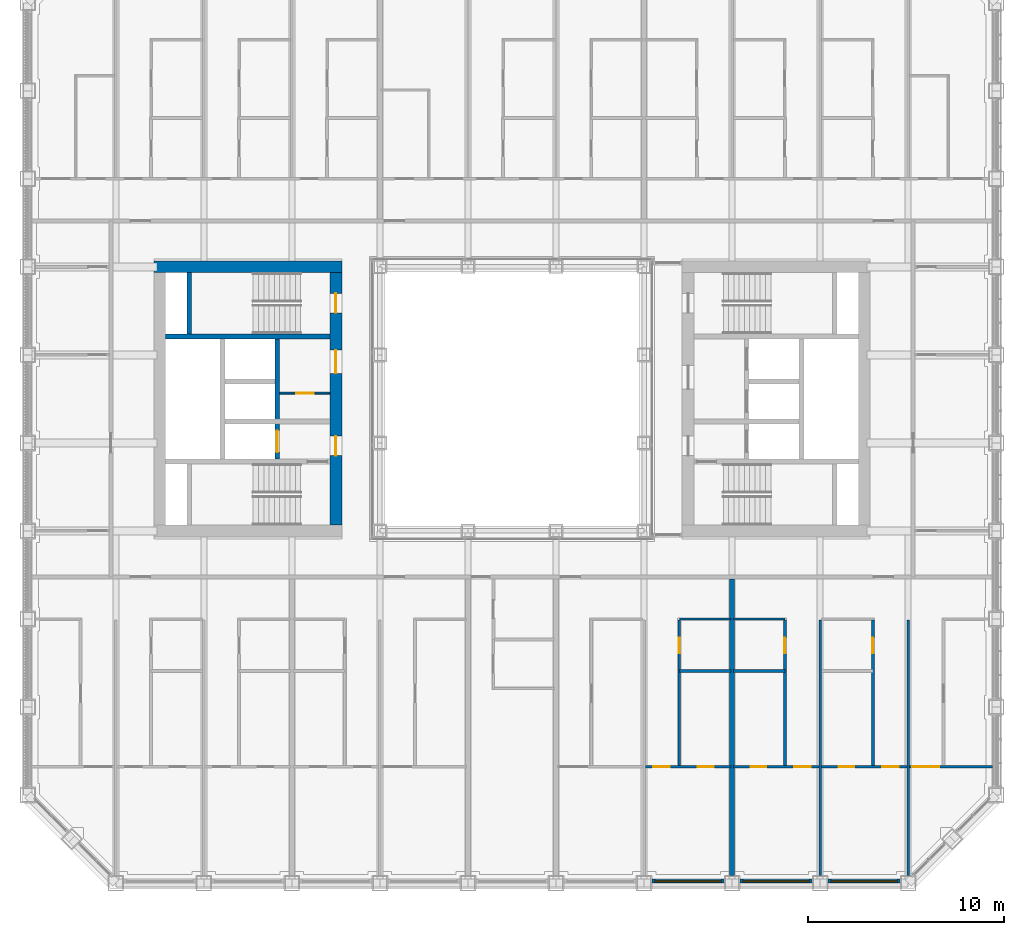
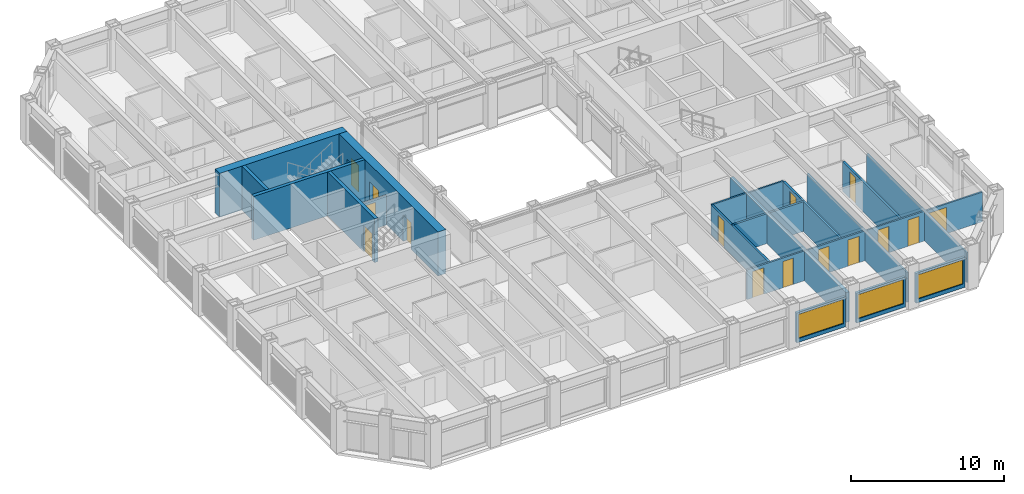
# One storey, part 11 of 21: 23 walls, 15 doors, 3 windows, 18 openings.
"""IFC4 building model written with IfcOpenShell, lengths in metres."""

import ifcopenshell
import ifcopenshell.guid

model = None  # the IFC model being written
_history = None  # IfcOwnerHistory: only IFC2X3 demands one
_inside = {}  # id of a spatial element -> (the spatial element, [elements in it])
_under = {}  # id of a project, library or spatial element -> (it, [spatial elements below it])
_declared = {}  # id of a project -> (the project, [libraries it declares])
_typed = {}  # id of a type object -> (the type object, [elements of that type])
_made_of = {}  # id of a material, layer set ... -> (it, [elements and type objects made of it])


def new_model(schema):
    """Start an empty IFC model of exactly this schema.

    Asked for "IFC4X3", IfcOpenShell would pick the latest addendum, in which some entities
    have other attributes; the version numbers below select the first issue.
    IFC2X3 requires an IfcOwnerHistory on every rooted entity: one is made here for all.
    """
    global model, _history
    if schema == "IFC4X3":
        model = ifcopenshell.file(schema_version=(4, 3, 0, 0))
    else:
        model = ifcopenshell.file(schema=schema)
    _inside.clear()
    _under.clear()
    _declared.clear()
    _typed.clear()
    _made_of.clear()
    _history = None
    if model.schema == "IFC2X3":
        org = make("IfcOrganization", Name="unknown")
        user = make(
            "IfcPersonAndOrganization",
            ThePerson=make("IfcPerson", FamilyName="unknown"),
            TheOrganization=org,
        )
        app = make(
            "IfcApplication",
            ApplicationDeveloper=org,
            Version="unknown",
            ApplicationFullName="unknown",
            ApplicationIdentifier="unknown",
        )
        _history = make(
            "IfcOwnerHistory",
            OwningUser=user,
            OwningApplication=app,
            ChangeAction="ADDED",
            CreationDate=0,
        )
    return model


def make(cls, **values):
    """One entity of the class cls with the attributes given. An attribute that is None is left unset."""
    return model.create_entity(
        cls, **{name: value for name, value in values.items() if value is not None}
    )


def rooted(cls, **values):
    """An entity with a GlobalId (a new one), such as an element, a storey or a relation."""
    return make(cls, GlobalId=ifcopenshell.guid.new(), OwnerHistory=_history, **values)


def si_unit(unit_type, name, prefix=None):
    """IfcSIUnit, for example si_unit("LENGTHUNIT", "METRE", prefix="MILLI")."""
    return make("IfcSIUnit", UnitType=unit_type, Prefix=prefix, Name=name)


def assignment(units):
    """IfcUnitAssignment: the units of a project."""
    return None if units is None else make("IfcUnitAssignment", Units=units)


def point(xyz):
    """IfcCartesianPoint."""
    return None if xyz is None else make("IfcCartesianPoint", Coordinates=xyz)


def direction(xyz):
    """IfcDirection."""
    return None if xyz is None else make("IfcDirection", DirectionRatios=xyz)


def frame(location, z_axis=None, x_axis=None):
    """IfcAxis2Placement3D, a coordinate frame: its origin and axes. An axis left out is left unset."""
    return make(
        "IfcAxis2Placement3D",
        Location=point(location),
        Axis=direction(z_axis),
        RefDirection=direction(x_axis),
    )


def frame_2d(location, x_axis=None):
    """IfcAxis2Placement2D, a coordinate frame in the plane: its origin and x axis."""
    return make(
        "IfcAxis2Placement2D", Location=point(location), RefDirection=direction(x_axis)
    )


def origin():
    """The frame at (0, 0, 0) with its axes left unset."""
    return frame((0.0, 0.0, 0.0))


def place(relative_to, where):
    """IfcLocalPlacement: puts the frame where relative to a parent placement (None: the world)."""
    return make(
        "IfcLocalPlacement", PlacementRelTo=relative_to, RelativePlacement=where
    )


def context(
    kind, dimensions, precision=None, world=None, true_north=None, identifier=None
):
    """IfcGeometricRepresentationContext, for example the 3D "Model" context."""
    return make(
        "IfcGeometricRepresentationContext",
        ContextIdentifier=identifier,
        ContextType=kind,
        CoordinateSpaceDimension=dimensions,
        Precision=precision,
        WorldCoordinateSystem=world,
        TrueNorth=true_north,
    )


def subcontext(parent, identifier, kind, view, scale=None):
    """IfcGeometricRepresentationSubContext, for example "Body" below "Model"."""
    return make(
        "IfcGeometricRepresentationSubContext",
        ContextIdentifier=identifier,
        ContextType=kind,
        ParentContext=parent,
        TargetScale=scale,
        TargetView=view,
    )


def project(units=None, contexts=None):
    """IfcProject with its units and contexts."""
    return rooted(
        "IfcProject",
        Name="project",
        RepresentationContexts=contexts,
        UnitsInContext=assignment(units),
    )


def spatial(cls, under=None, at=None, **own):
    """A site, building, storey or space (cls), placed at a placement, below another one or the project."""
    s = rooted(cls, ObjectPlacement=at, **own)
    if under is not None:
        _under.setdefault(under.id(), (under, []))[1].append(s)
    return s


def profile(cls, at=None, kind="AREA", **sizes):
    """A parametric profile (cls). Its sizes go by their IFC names, for example OverallWidth=200.0."""
    return make(cls, ProfileType=kind, Position=at, **sizes)


def rectangle(**sizes):
    """IfcRectangleProfileDef."""
    return profile("IfcRectangleProfileDef", **sizes)


def extrude(swept, where, along, depth):
    """IfcExtrudedAreaSolid: the profile swept, set in the frame where, extruded along a direction by depth."""
    return make(
        "IfcExtrudedAreaSolid",
        SweptArea=swept,
        Position=where,
        ExtrudedDirection=direction(along),
        Depth=depth,
    )


def shape(context_of_items, identifier, shape_type, items):
    """IfcShapeRepresentation: the items that make up one representation, for example the "Body"."""
    return make(
        "IfcShapeRepresentation",
        ContextOfItems=context_of_items,
        RepresentationIdentifier=identifier,
        RepresentationType=shape_type,
        Items=items,
    )


def material(Name=None, Category=None):
    """IfcMaterial."""
    return make("IfcMaterial", Name=Name, Category=Category)


def layer(
    of_material, thickness, ventilated=None, Name=None, Category=None, Priority=None
):
    """IfcMaterialLayer: one layer of a wall or slab, of a material (None: an air gap)."""
    return make(
        "IfcMaterialLayer",
        Material=of_material,
        LayerThickness=thickness,
        IsVentilated=ventilated,
        Name=Name,
        Category=Category,
        Priority=Priority,
    )


def layer_set(layers, Name=None):
    """IfcMaterialLayerSet."""
    return make("IfcMaterialLayerSet", MaterialLayers=layers, LayerSetName=Name)


def made_of(thing, what):
    """Note that an element or type object is made of a material, layer set ...; save() writes the relation."""
    if what is not None:
        _made_of.setdefault(what.id(), (what, []))[1].append(thing)
    return thing


def type_object(cls, material=None, **own):
    """A type object (cls), such as IfcWallType, which elements share."""
    return made_of(rooted(cls, **own), material)


def element(
    cls,
    number,
    at=None,
    inside=None,
    cuts=None,
    type_object=None,
    material=None,
    context=None,
    identifier="Body",
    shape_type=None,
    held_by="IfcProductDefinitionShape",
    body=None,
    shapes=None,
    **own,
):
    """One element of the class cls, such as IfcWall. Its Tag is "e" and its number.

    at: its placement. inside: the storey or other place that contains it. cuts: it is an
    opening in that element (IfcRelVoidsElement). A single representation is given by context,
    identifier, shape_type and body (its items); several are given by shapes. held_by: the class
    of the entity that holds the representations. save() writes the other relations.
    """
    e = rooted(cls, Tag="e%d" % number, ObjectPlacement=at, **own)
    if body is not None:
        shapes = [shape(context, identifier, shape_type, body)]
    if shapes is not None:
        e.Representation = make(held_by, Representations=shapes)
    if inside is not None:
        _inside.setdefault(inside.id(), (inside, []))[1].append(e)
    if cuts is not None:
        rooted(
            "IfcRelVoidsElement", RelatingBuildingElement=cuts, RelatedOpeningElement=e
        )
    if type_object is not None:
        _typed.setdefault(type_object.id(), (type_object, []))[1].append(e)
    return made_of(e, material)


def fill(opening, filler):
    """IfcRelFillsElement: the door or window that sits in an opening."""
    return rooted(
        "IfcRelFillsElement",
        RelatingOpeningElement=opening,
        RelatedBuildingElement=filler,
    )


def aggregate(whole, parts):
    """IfcRelAggregates: a whole, such as a stair, and the parts it consists of."""
    return rooted("IfcRelAggregates", RelatingObject=whole, RelatedObjects=parts)


def save(model, path):
    """Write the relations noted so far, then the file.

    IfcRelAggregates (storeys below a building ...), IfcRelContainedInSpatialStructure (elements
    in a storey), IfcRelDefinesByType, IfcRelAssociatesMaterial and IfcRelDeclares: one each for
    every whole, place, type object, material and project.
    """
    for whole, parts in _under.values():
        aggregate(whole, parts)
    for where, things in _inside.values():
        rooted(
            "IfcRelContainedInSpatialStructure",
            RelatedElements=things,
            RelatingStructure=where,
        )
    for kind, things in _typed.values():
        rooted("IfcRelDefinesByType", RelatedObjects=things, RelatingType=kind)
    for what, things in _made_of.values():
        rooted("IfcRelAssociatesMaterial", RelatedObjects=things, RelatingMaterial=what)
    for by, libraries in _declared.values():
        rooted("IfcRelDeclares", RelatingContext=by, RelatedDefinitions=libraries)
    model.write(path)


model = new_model("IFC4")

# Units and contexts
model_context = context("Model", 3, precision=1e-05, world=origin(), true_north=direction((0.0, 1.0)))
body_context = subcontext(model_context, "Body", "Model", "MODEL_VIEW")
ifc_project = project(units=[si_unit("LENGTHUNIT", "METRE"), si_unit("AREAUNIT", "SQUARE_METRE"), si_unit("VOLUMEUNIT", "CUBIC_METRE"), si_unit("PLANEANGLEUNIT", "RADIAN"), si_unit("MASSUNIT", "GRAM", prefix="KILO")], contexts=[model_context])

# Site, building, storey
site_placement = place(None, origin())
site = spatial("IfcSite", under=ifc_project, at=site_placement, CompositionType="ELEMENT")
building_placement = place(site_placement, origin())
building = spatial("IfcBuilding", under=site, at=building_placement, Name="Msasa Ring Tower", CompositionType="ELEMENT")
storey_placement = place(building_placement, frame((0.0, 0.0, 68.5)))
storey = spatial("IfcBuildingStorey", under=building, at=storey_placement, Name="L17", CompositionType="ELEMENT", Elevation=68.5)

# Wall
ifc_material_1 = material(Name="Concrete C60/75", Category="concrete")
ifc_layer_1 = layer(ifc_material_1, 0.60009765625)
ifc_layer_set_1 = layer_set([ifc_layer_1], Name="CW1 CORE WALL 600")
wall_type_1 = type_object("IfcWallType", Name="CW1 CORE WALL 600", PredefinedType="SHEAR", material=ifc_layer_set_1)
wall_1_placement = place(storey_placement, frame((-8.699951171875, 6.75, 0.0), z_axis=(0.0, 0.0, 1.0), x_axis=(-1.0, 0.0, 0.0)))
element("IfcWall", 1, at=wall_1_placement, inside=storey, type_object=wall_type_1, Name="W core wall N L17", PredefinedType="SHEAR", context=body_context, shape_type="SweptSolid", body=[
    extrude(rectangle(XDim=9.60009765625, YDim=0.60009765625, at=frame_2d((4.800048828125, 0.0))), origin(), (0.0, 0.0, 1.0), 3.5),
])

# Wall, openings, doors
wall_2_placement = place(storey_placement, frame((-9.0, -6.449951171875, 0.0), z_axis=(0.0, 0.0, 1.0), x_axis=(0.0, 1.0, 0.0)))
wall_2 = element("IfcWall", 2, at=wall_2_placement, inside=storey, type_object=wall_type_1, Name="W core wall W L17", PredefinedType="SHEAR", context=body_context, shape_type="SweptSolid", body=[
    extrude(rectangle(XDim=12.89990234375, YDim=0.60009765625, at=frame_2d((6.449951171875, 0.0))), origin(), (0.0, 0.0, 1.0), 3.5),
])
opening_1_placement = place(wall_2_placement, frame((3.550048828125, 0.0, 0.0)))
opening_1 = element("IfcOpeningElement", 3, at=opening_1_placement, cuts=wall_2, Name="Opening RE-049", PredefinedType="OPENING", context=body_context, shape_type="SweptSolid", body=[
    extrude(rectangle(XDim=1.0, YDim=2.10009765625, at=frame_2d((0.5, 1.050048828125))), frame((0.0, 0.31005859375, 0.0), z_axis=(0.0, -1.0, 0.0), x_axis=(1.0, 0.0, 0.0)), (0.0, 0.0, 1.0), 0.6201171875),
])
opening_2_placement = place(wall_2_placement, frame((7.75, 0.0, 0.0)))
opening_2 = element("IfcOpeningElement", 4, at=opening_2_placement, cuts=wall_2, Name="Opening RE-044", PredefinedType="OPENING", context=body_context, shape_type="SweptSolid", body=[
    extrude(rectangle(XDim=1.199951171875, YDim=2.10009765625, at=frame_2d((0.60009765625, 1.050048828125))), frame((0.0, 0.31005859375, 0.0), z_axis=(0.0, -1.0, 0.0), x_axis=(1.0, 0.0, 0.0)), (0.0, 0.0, 1.0), 0.6201171875),
])
opening_3_placement = place(wall_2_placement, frame((10.85009765625, 0.0, 0.0)))
opening_3 = element("IfcOpeningElement", 5, at=opening_3_placement, cuts=wall_2, Name="Opening RE-040", PredefinedType="OPENING", context=body_context, shape_type="SweptSolid", body=[
    extrude(rectangle(XDim=1.0, YDim=2.10009765625, at=frame_2d((0.5, 1.050048828125))), frame((0.0, 0.31005859375, 0.0), z_axis=(0.0, -1.0, 0.0), x_axis=(1.0, 0.0, 0.0)), (0.0, 0.0, 1.0), 0.6201171875),
])
ifc_material_2 = material(Name="Timber door leaf in a steel frame", Category="steel")
door_type_1 = type_object("IfcDoorType", Name="D26 WIDE SERVICE ROOM DOOR 1200x2100", OperationType="SINGLE_SWING_LEFT", PredefinedType="DOOR", material=ifc_material_2)
door_1_placement = place(opening_2_placement, origin())
door_1 = element("IfcDoor", 6, at=door_1_placement, inside=storey, type_object=door_type_1, Name="Door L17-WCR", OperationType="SINGLE_SWING_RIGHT", OverallHeight=2.10009765625, OverallWidth=1.199951171875, PredefinedType="DOOR", context=body_context, shape_type="SweptSolid", body=[
    extrude(rectangle(XDim=1.199951171875, YDim=2.10009765625, at=frame_2d((0.60009765625, 1.050048828125))), frame((0.0, 0.02490234375, 0.0), z_axis=(0.0, -1.0, 0.0), x_axis=(1.0, 0.0, 0.0)), (0.0, 0.0, 1.0), 0.050048828125),
])
fill(opening_2, door_1)
ifc_material_3 = material(Name="Timber door leaf in a steel frame", Category="steel")
door_type_2 = type_object("IfcDoorType", Name="D4 LOBBY DOOR 1000x2100", OperationType="SINGLE_SWING_LEFT", PredefinedType="DOOR", material=ifc_material_3)
door_2_placement = place(opening_1_placement, origin())
door_2 = element("IfcDoor", 7, at=door_2_placement, inside=storey, type_object=door_type_2, Name="Door L17-WFFL", OperationType="SINGLE_SWING_LEFT", OverallHeight=2.10009765625, OverallWidth=1.0, PredefinedType="DOOR", context=body_context, shape_type="SweptSolid", body=[
    extrude(rectangle(XDim=1.0, YDim=2.10009765625, at=frame_2d((0.5, 1.050048828125))), frame((0.0, 0.02490234375, 0.0), z_axis=(0.0, -1.0, 0.0), x_axis=(1.0, 0.0, 0.0)), (0.0, 0.0, 1.0), 0.050048828125),
])
fill(opening_1, door_2)
ifc_material_4 = material(Name="Timber door leaf in a steel frame", Category="steel")
door_type_3 = type_object("IfcDoorType", Name="D6 STAIR DOOR 1000x2100", OperationType="SINGLE_SWING_LEFT", PredefinedType="DOOR", material=ifc_material_4)
door_3_placement = place(opening_3_placement, origin())
door_3 = element("IfcDoor", 8, at=door_3_placement, inside=storey, type_object=door_type_3, Name="Door L17-WSTB", OperationType="SINGLE_SWING_RIGHT", OverallHeight=2.10009765625, OverallWidth=1.0, PredefinedType="DOOR", context=body_context, shape_type="SweptSolid", body=[
    extrude(rectangle(XDim=1.0, YDim=2.10009765625, at=frame_2d((0.5, 1.050048828125))), frame((0.0, 0.02490234375, 0.0), z_axis=(0.0, -1.0, 0.0), x_axis=(1.0, 0.0, 0.0)), (0.0, 0.0, 1.0), 0.050048828125),
])
fill(opening_3, door_3)

# Walls
ifc_material_5 = material(Name="Concrete C60/75", Category="concrete")
ifc_layer_2 = layer(ifc_material_5, 0.25)
ifc_layer_set_2 = layer_set([ifc_layer_2], Name="CW4 CORE INNER WALL 250")
wall_type_2 = type_object("IfcWallType", Name="CW4 CORE INNER WALL 250", PredefinedType="SHEAR", material=ifc_layer_set_2)
wall_3_placement = place(storey_placement, frame((-9.300048828125, 3.199951171875, 0.0), z_axis=(0.0, 0.0, 1.0), x_axis=(-1.0, 0.0, 0.0)))
element("IfcWall", 9, at=wall_3_placement, inside=storey, type_object=wall_type_2, Name="W core wall STAIRB L17", PredefinedType="SHEAR", context=body_context, shape_type="SweptSolid", body=[
    extrude(rectangle(XDim=8.39990234375, YDim=0.25, at=frame_2d((4.199951171875, 0.0))), origin(), (0.0, 0.0, 1.0), 3.5),
])
wall_4_placement = place(storey_placement, frame((-16.5, 3.324951171875, 0.0), z_axis=(0.0, 0.0, 1.0), x_axis=(0.0, 1.0, 0.0)))
element("IfcWall", 10, at=wall_4_placement, inside=storey, type_object=wall_type_2, Name="W core wall RISERB L17", PredefinedType="SHEAR", context=body_context, shape_type="SweptSolid", body=[
    extrude(rectangle(XDim=3.125, YDim=0.25, at=frame_2d((1.5625, 0.0))), origin(), (0.0, 0.0, 1.0), 3.5),
])

# Wall, opening, door
wall_5_placement = place(storey_placement, frame((-12.0, -3.074951171875, 0.0), z_axis=(0.0, 0.0, 1.0), x_axis=(0.0, 1.0, 0.0)))
wall_5 = element("IfcWall", 11, at=wall_5_placement, inside=storey, type_object=wall_type_2, Name="W core wall LOBBY L17", PredefinedType="SHEAR", context=body_context, shape_type="SweptSolid", body=[
    extrude(rectangle(XDim=6.14990234375, YDim=0.25, at=frame_2d((3.074951171875, 0.0))), origin(), (0.0, 0.0, 1.0), 3.5),
])
opening_4_placement = place(wall_5_placement, frame((0.35009765625, 0.0, 0.0)))
opening_4 = element("IfcOpeningElement", 12, at=opening_4_placement, cuts=wall_5, Name="Opening LD1", PredefinedType="OPENING", context=body_context, shape_type="SweptSolid", body=[
    extrude(rectangle(XDim=1.10009765625, YDim=2.10009765625, at=frame_2d((0.550048828125, 1.050048828125))), frame((0.0, 0.135009765625, 0.0), z_axis=(0.0, -1.0, 0.0), x_axis=(1.0, 0.0, 0.0)), (0.0, 0.0, 1.0), 0.27001953125),
])
ifc_material_6 = material(Name="Stainless steel lift landing door", Category="steel")
door_type_4 = type_object("IfcDoorType", Name="LD1 LIFT LANDING DOOR 1100x2100", OperationType="DOUBLE_DOOR_SLIDING", PredefinedType="DOOR", material=ifc_material_6)
door_4_placement = place(opening_4_placement, origin())
door_4 = element("IfcDoor", 13, at=door_4_placement, inside=storey, type_object=door_type_4, Name="Lift landing door FL-W L17", OperationType="DOUBLE_DOOR_SLIDING", OverallHeight=2.10009765625, OverallWidth=1.10009765625, PredefinedType="DOOR", context=body_context, shape_type="SweptSolid", body=[
    extrude(rectangle(XDim=1.10009765625, YDim=2.10009765625, at=frame_2d((0.550048828125, 1.050048828125))), frame((0.0, 0.02490234375, 0.0), z_axis=(0.0, -1.0, 0.0), x_axis=(1.0, 0.0, 0.0)), (0.0, 0.0, 1.0), 0.050048828125),
])
fill(opening_4, door_4)

# Wall, opening, window
ifc_material_7 = material(Name="Terracotta rainscreen on blockwork", Category="masonry")
ifc_layer_3 = layer(ifc_material_7, 0.199951171875)
ifc_layer_set_3 = layer_set([ifc_layer_3], Name="FW1 TERRACOTTA-LINED INFILL BAY WALL 200")
wall_type_3 = type_object("IfcWallType", Name="FW1 TERRACOTTA-LINED INFILL BAY WALL 200", PredefinedType="SOLIDWALL", material=ifc_layer_set_3)
wall_6_placement = place(storey_placement, frame((7.155029296875, -24.64990234375, 0.0), z_axis=(0.0, 0.0, 1.0), x_axis=(1.0, 0.0, 0.0)))
wall_6 = element("IfcWall", 14, at=wall_6_placement, inside=storey, type_object=wall_type_3, Name="Infill bay wall S L17 06", PredefinedType="SOLIDWALL", context=body_context, shape_type="SweptSolid", body=[
    extrude(rectangle(XDim=3.68994140625, YDim=0.199951171875, at=frame_2d((1.844970703125, 0.0))), origin(), (0.0, 0.0, 1.0), 2.37890625),
])
opening_5_placement = place(wall_6_placement, frame((0.14501953125, 0.0, 0.300048828125)))
opening_5 = element("IfcOpeningElement", 15, at=opening_5_placement, cuts=wall_6, Name="Opening WN1", PredefinedType="OPENING", context=body_context, shape_type="SweptSolid", body=[
    extrude(rectangle(XDim=3.39990234375, YDim=1.928955078125, at=frame_2d((1.699951171875, 0.96435546875))), frame((0.0, 0.10986328125, 0.0), z_axis=(0.0, -1.0, 0.0), x_axis=(1.0, 0.0, 0.0)), (0.0, 0.0, 1.0), 0.219970703125),
])
ifc_material_8 = material(Name="Aluminium frame with clear glass", Category="aluminium")
window_type = type_object("IfcWindowType", Name="WN1 RESIDENCE WINDOW 3400x1929", PartitioningType="SINGLE_PANEL", PredefinedType="WINDOW", material=ifc_material_8)
window_1_placement = place(opening_5_placement, origin())
window_1 = element("IfcWindow", 16, at=window_1_placement, inside=storey, type_object=window_type, Name="Window S L17 06", OverallHeight=1.928955078125, OverallWidth=3.39990234375, PartitioningType="SINGLE_PANEL", PredefinedType="WINDOW", context=body_context, shape_type="SweptSolid", body=[
    extrude(rectangle(XDim=3.39990234375, YDim=1.928955078125, at=frame_2d((1.699951171875, 0.96435546875))), frame((0.0, 0.030029296875, 0.0), z_axis=(0.0, -1.0, 0.0), x_axis=(1.0, 0.0, 0.0)), (0.0, 0.0, 1.0), 0.06005859375),
])
fill(opening_5, window_1)

wall_7_placement = place(storey_placement, frame((11.655029296875, -24.64990234375, 0.0), z_axis=(0.0, 0.0, 1.0), x_axis=(1.0, 0.0, 0.0)))
wall_7 = element("IfcWall", 17, at=wall_7_placement, inside=storey, type_object=wall_type_3, Name="Infill bay wall S L17 07", PredefinedType="SOLIDWALL", context=body_context, shape_type="SweptSolid", body=[
    extrude(rectangle(XDim=3.68994140625, YDim=0.199951171875, at=frame_2d((1.844970703125, 0.0))), origin(), (0.0, 0.0, 1.0), 2.37890625),
])
opening_6_placement = place(wall_7_placement, frame((0.14501953125, 0.0, 0.300048828125)))
opening_6 = element("IfcOpeningElement", 18, at=opening_6_placement, cuts=wall_7, Name="Opening WN1", PredefinedType="OPENING", context=body_context, shape_type="SweptSolid", body=[
    extrude(rectangle(XDim=3.39990234375, YDim=1.928955078125, at=frame_2d((1.699951171875, 0.96435546875))), frame((0.0, 0.10986328125, 0.0), z_axis=(0.0, -1.0, 0.0), x_axis=(1.0, 0.0, 0.0)), (0.0, 0.0, 1.0), 0.219970703125),
])
window_2_placement = place(opening_6_placement, origin())
window_2 = element("IfcWindow", 19, at=window_2_placement, inside=storey, type_object=window_type, Name="Window S L17 07", OverallHeight=1.928955078125, OverallWidth=3.39990234375, PartitioningType="SINGLE_PANEL", PredefinedType="WINDOW", context=body_context, shape_type="SweptSolid", body=[
    extrude(rectangle(XDim=3.39990234375, YDim=1.928955078125, at=frame_2d((1.699951171875, 0.96435546875))), frame((0.0, 0.030029296875, 0.0), z_axis=(0.0, -1.0, 0.0), x_axis=(1.0, 0.0, 0.0)), (0.0, 0.0, 1.0), 0.06005859375),
])
fill(opening_6, window_2)

wall_8_placement = place(storey_placement, frame((16.155029296875, -24.64990234375, 0.0), z_axis=(0.0, 0.0, 1.0), x_axis=(1.0, 0.0, 0.0)))
wall_8 = element("IfcWall", 20, at=wall_8_placement, inside=storey, type_object=wall_type_3, Name="Infill bay wall S L17 08", PredefinedType="SOLIDWALL", context=body_context, shape_type="SweptSolid", body=[
    extrude(rectangle(XDim=3.68994140625, YDim=0.199951171875, at=frame_2d((1.844970703125, 0.0))), origin(), (0.0, 0.0, 1.0), 2.37890625),
])
opening_7_placement = place(wall_8_placement, frame((0.14501953125, 0.0, 0.300048828125)))
opening_7 = element("IfcOpeningElement", 21, at=opening_7_placement, cuts=wall_8, Name="Opening WN1", PredefinedType="OPENING", context=body_context, shape_type="SweptSolid", body=[
    extrude(rectangle(XDim=3.39990234375, YDim=1.928955078125, at=frame_2d((1.699951171875, 0.96435546875))), frame((0.0, 0.10986328125, 0.0), z_axis=(0.0, -1.0, 0.0), x_axis=(1.0, 0.0, 0.0)), (0.0, 0.0, 1.0), 0.219970703125),
])
window_3_placement = place(opening_7_placement, origin())
window_3 = element("IfcWindow", 22, at=window_3_placement, inside=storey, type_object=window_type, Name="Window S L17 08", OverallHeight=1.928955078125, OverallWidth=3.39990234375, PartitioningType="SINGLE_PANEL", PredefinedType="WINDOW", context=body_context, shape_type="SweptSolid", body=[
    extrude(rectangle(XDim=3.39990234375, YDim=1.928955078125, at=frame_2d((1.699951171875, 0.96435546875))), frame((0.0, 0.030029296875, 0.0), z_axis=(0.0, -1.0, 0.0), x_axis=(1.0, 0.0, 0.0)), (0.0, 0.0, 1.0), 0.06005859375),
])
fill(opening_7, window_3)

# Wall, opening, door
ifc_material_9 = material(Name="Gypsum board on steel studs", Category="steel")
ifc_layer_4 = layer(ifc_material_9, 0.10009765625)
ifc_layer_set_4 = layer_set([ifc_layer_4], Name="PT2 STUD PARTITION 100")
wall_type_4 = type_object("IfcWallType", Name="PT2 STUD PARTITION 100", PredefinedType="PARTITIONING", material=ifc_layer_set_4)
wall_9_placement = place(storey_placement, frame((-11.875, 0.300048828125, 0.0), z_axis=(0.0, 0.0, 1.0), x_axis=(1.0, 0.0, 0.0)))
wall_9 = element("IfcWall", 23, at=wall_9_placement, inside=storey, type_object=wall_type_4, Name="Partition L17-WCP", PredefinedType="PARTITIONING", context=body_context, shape_type="SweptSolid", body=[
    extrude(rectangle(XDim=2.574951171875, YDim=0.10009765625, at=frame_2d((1.28759765625, 0.0))), origin(), (0.0, 0.0, 1.0), 2.373291015625),
])
opening_8_placement = place(wall_9_placement, frame((0.83740234375, 0.0, 0.0)))
opening_8 = element("IfcOpeningElement", 24, at=opening_8_placement, cuts=wall_9, Name="Opening RE-046", PredefinedType="OPENING", context=body_context, shape_type="SweptSolid", body=[
    extrude(rectangle(XDim=0.89990234375, YDim=2.10009765625, at=frame_2d((0.449951171875, 1.050048828125))), frame((0.0, 0.06005859375, 0.0), z_axis=(0.0, -1.0, 0.0), x_axis=(1.0, 0.0, 0.0)), (0.0, 0.0, 1.0), 0.1201171875),
])
ifc_material_10 = material(Name="Timber door leaf in a steel frame", Category="steel")
door_type_5 = type_object("IfcDoorType", Name="D22 INTERNAL HALL DOOR 900x2100", OperationType="SINGLE_SWING_LEFT", PredefinedType="DOOR", material=ifc_material_10)
door_5_placement = place(opening_8_placement, origin())
door_5 = element("IfcDoor", 25, at=door_5_placement, inside=storey, type_object=door_type_5, Name="Door L17-WCP", OperationType="SINGLE_SWING_LEFT", OverallHeight=2.10009765625, OverallWidth=0.89990234375, PredefinedType="DOOR", context=body_context, shape_type="SweptSolid", body=[
    extrude(rectangle(XDim=0.89990234375, YDim=2.10009765625, at=frame_2d((0.449951171875, 1.050048828125))), frame((0.0, 0.02490234375, 0.0), z_axis=(0.0, -1.0, 0.0), x_axis=(1.0, 0.0, 0.0)), (0.0, 0.0, 1.0), 0.050048828125),
])
fill(opening_8, door_5)

# Wall
ifc_material_11 = material(Name="Dense concrete blockwork, plastered both faces", Category="masonry")
ifc_layer_5 = layer(ifc_material_11, 0.25)
ifc_layer_set_5 = layer_set([ifc_layer_5], Name="PT3 APARTMENT SEPARATING WALL 250")
wall_type_5 = type_object("IfcWallType", Name="PT3 APARTMENT SEPARATING WALL 250", PredefinedType="PARTITIONING", material=ifc_layer_set_5)
wall_10_placement = place(storey_placement, frame((11.25, -24.35009765625, 0.0), z_axis=(0.0, 0.0, 1.0), x_axis=(0.0, 1.0, 0.0)))
element("IfcWall", 26, at=wall_10_placement, inside=storey, type_object=wall_type_5, Name="Party wall L17-PWS+11.25", PredefinedType="PARTITIONING", context=body_context, shape_type="SweptSolid", body=[
    extrude(rectangle(XDim=15.150146484375, YDim=0.25, at=frame_2d((7.5751953125, 0.0))), origin(), (0.0, 0.0, 1.0), 2.373291015625),
])

# Wall, opening, door
ifc_material_12 = material(Name="Moisture-resistant board on steel studs with a concealed cistern and pipe void, tiled", Category="steel")
ifc_layer_6 = layer(ifc_material_12, 0.14990234375)
ifc_layer_set_6 = layer_set([ifc_layer_6], Name="PT4 BATHROOM WET WALL 150")
wall_type_6 = type_object("IfcWallType", Name="PT4 BATHROOM WET WALL 150", PredefinedType="PARTITIONING", material=ifc_layer_set_6)
wall_11_placement = place(storey_placement, frame((8.550048828125, -18.8125, 0.0), z_axis=(0.0, 0.0, 1.0), x_axis=(0.0, 1.0, 0.0)))
wall_11 = element("IfcWall", 27, at=wall_11_placement, inside=storey, type_object=wall_type_6, Name="Partition L17-US03SX1", PredefinedType="PARTITIONING", context=body_context, shape_type="SweptSolid", body=[
    extrude(rectangle(XDim=7.5, YDim=0.14990234375, at=frame_2d((3.75, 0.0))), origin(), (0.0, 0.0, 1.0), 2.373291015625),
])
opening_9_placement = place(wall_11_placement, frame((5.800048828125, 0.0, 0.0)))
opening_9 = element("IfcOpeningElement", 28, at=opening_9_placement, cuts=wall_11, Name="Opening RE-065", PredefinedType="OPENING", context=body_context, shape_type="SweptSolid", body=[
    extrude(rectangle(XDim=0.800048828125, YDim=2.10009765625, at=frame_2d((0.39990234375, 1.050048828125))), frame((0.0, 0.0849609375, 0.0), z_axis=(0.0, -1.0, 0.0), x_axis=(1.0, 0.0, 0.0)), (0.0, 0.0, 1.0), 0.169921875),
])
ifc_material_13 = material(Name="Timber door leaf in a steel frame", Category="steel")
door_type_6 = type_object("IfcDoorType", Name="D21 POCKET SLIDING BATHROOM DOOR 800x2100", OperationType="SINGLE_SWING_LEFT", PredefinedType="DOOR", material=ifc_material_13)
door_6_placement = place(opening_9_placement, origin())
door_6 = element("IfcDoor", 29, at=door_6_placement, inside=storey, type_object=door_type_6, Name="Door L17-US03B1", OperationType="SINGLE_SWING_RIGHT", OverallHeight=2.10009765625, OverallWidth=0.800048828125, PredefinedType="DOOR", context=body_context, shape_type="SweptSolid", body=[
    extrude(rectangle(XDim=0.800048828125, YDim=2.10009765625, at=frame_2d((0.39990234375, 1.050048828125))), frame((0.0, 0.02490234375, 0.0), z_axis=(0.0, -1.0, 0.0), x_axis=(1.0, 0.0, 0.0)), (0.0, 0.0, 1.0), 0.050048828125),
])
fill(opening_9, door_6)

# Wall
wall_12_placement = place(storey_placement, frame((8.550048828125, -13.91259765625, 0.0), z_axis=(0.0, 0.0, 1.0), x_axis=(1.0, 0.0, 0.0)))
element("IfcWall", 30, at=wall_12_placement, inside=storey, type_object=wall_type_6, Name="Partition L17-US03SB1", PredefinedType="PARTITIONING", context=body_context, shape_type="SweptSolid", body=[
    extrude(rectangle(XDim=2.632568359375, YDim=0.14990234375, at=frame_2d((1.31640625, 0.0))), origin(), (0.0, 0.0, 1.0), 2.373291015625),
])

# Wall, opening, door
wall_13_placement = place(storey_placement, frame((18.449951171875, -18.8125, 0.0), z_axis=(0.0, 0.0, 1.0), x_axis=(0.0, 1.0, 0.0)))
wall_13 = element("IfcWall", 31, at=wall_13_placement, inside=storey, type_object=wall_type_6, Name="Partition L17-US04SX1", PredefinedType="PARTITIONING", context=body_context, shape_type="SweptSolid", body=[
    extrude(rectangle(XDim=7.5, YDim=0.14990234375, at=frame_2d((3.75, 0.0))), origin(), (0.0, 0.0, 1.0), 2.373291015625),
])
opening_10_placement = place(wall_13_placement, frame((5.800048828125, 0.0, 0.0)))
opening_10 = element("IfcOpeningElement", 32, at=opening_10_placement, cuts=wall_13, Name="Opening RE-067", PredefinedType="OPENING", context=body_context, shape_type="SweptSolid", body=[
    extrude(rectangle(XDim=0.800048828125, YDim=2.10009765625, at=frame_2d((0.39990234375, 1.050048828125))), frame((0.0, 0.0849609375, 0.0), z_axis=(0.0, -1.0, 0.0), x_axis=(1.0, 0.0, 0.0)), (0.0, 0.0, 1.0), 0.169921875),
])
door_7_placement = place(opening_10_placement, origin())
door_7 = element("IfcDoor", 33, at=door_7_placement, inside=storey, type_object=door_type_6, Name="Door L17-US04B1", OperationType="SINGLE_SWING_RIGHT", OverallHeight=2.10009765625, OverallWidth=0.800048828125, PredefinedType="DOOR", context=body_context, shape_type="SweptSolid", body=[
    extrude(rectangle(XDim=0.800048828125, YDim=2.10009765625, at=frame_2d((0.39990234375, 1.050048828125))), frame((0.0, 0.02490234375, 0.0), z_axis=(0.0, -1.0, 0.0), x_axis=(1.0, 0.0, 0.0)), (0.0, 0.0, 1.0), 0.050048828125),
])
fill(opening_10, door_7)

wall_14_placement = place(storey_placement, frame((13.949951171875, -18.8125, 0.0), z_axis=(0.0, 0.0, 1.0), x_axis=(0.0, 1.0, 0.0)))
wall_14 = element("IfcWall", 34, at=wall_14_placement, inside=storey, type_object=wall_type_6, Name="Partition L17-US04SX2", PredefinedType="PARTITIONING", context=body_context, shape_type="SweptSolid", body=[
    extrude(rectangle(XDim=7.5, YDim=0.14990234375, at=frame_2d((3.75, 0.0))), origin(), (0.0, 0.0, 1.0), 2.373291015625),
])
opening_11_placement = place(wall_14_placement, frame((5.800048828125, 0.0, 0.0)))
opening_11 = element("IfcOpeningElement", 35, at=opening_11_placement, cuts=wall_14, Name="Opening RE-066", PredefinedType="OPENING", context=body_context, shape_type="SweptSolid", body=[
    extrude(rectangle(XDim=0.800048828125, YDim=2.10009765625, at=frame_2d((0.39990234375, 1.050048828125))), frame((0.0, 0.0849609375, 0.0), z_axis=(0.0, -1.0, 0.0), x_axis=(1.0, 0.0, 0.0)), (0.0, 0.0, 1.0), 0.169921875),
])
door_8_placement = place(opening_11_placement, origin())
door_8 = element("IfcDoor", 36, at=door_8_placement, inside=storey, type_object=door_type_6, Name="Door L17-US04B2", OperationType="SINGLE_SWING_RIGHT", OverallHeight=2.10009765625, OverallWidth=0.800048828125, PredefinedType="DOOR", context=body_context, shape_type="SweptSolid", body=[
    extrude(rectangle(XDim=0.800048828125, YDim=2.10009765625, at=frame_2d((0.39990234375, 1.050048828125))), frame((0.0, 0.02490234375, 0.0), z_axis=(0.0, -1.0, 0.0), x_axis=(1.0, 0.0, 0.0)), (0.0, 0.0, 1.0), 0.050048828125),
])
fill(opening_11, door_8)

# Walls
wall_15_placement = place(storey_placement, frame((11.3173828125, -13.91259765625, 0.0), z_axis=(0.0, 0.0, 1.0), x_axis=(1.0, 0.0, 0.0)))
element("IfcWall", 37, at=wall_15_placement, inside=storey, type_object=wall_type_6, Name="Partition L17-US04SB2", PredefinedType="PARTITIONING", context=body_context, shape_type="SweptSolid", body=[
    extrude(rectangle(XDim=2.632568359375, YDim=0.14990234375, at=frame_2d((1.31640625, 0.0))), origin(), (0.0, 0.0, 1.0), 2.373291015625),
])
ifc_material_14 = material(Name="Two layers of acoustic board each face on steel studs, mineral wool", Category="steel")
ifc_layer_7 = layer(ifc_material_14, 0.125)
ifc_layer_set_7 = layer_set([ifc_layer_7], Name="PT6 ACOUSTIC DOUBLE-BOARD PARTITION 125")
wall_type_7 = type_object("IfcWallType", Name="PT6 ACOUSTIC DOUBLE-BOARD PARTITION 125", PredefinedType="PARTITIONING", material=ifc_layer_set_7)
wall_16_placement = place(storey_placement, frame((8.550048828125, -11.25, 0.0), z_axis=(0.0, 0.0, 1.0), x_axis=(1.0, 0.0, 0.0)))
element("IfcWall", 38, at=wall_16_placement, inside=storey, type_object=wall_type_7, Name="Partition L17-US03HY1", PredefinedType="PARTITIONING", context=body_context, shape_type="SweptSolid", body=[
    extrude(rectangle(XDim=2.632568359375, YDim=0.125, at=frame_2d((1.31640625, 0.0))), origin(), (0.0, 0.0, 1.0), 2.373291015625),
])

# Wall, openings, doors
wall_17_placement = place(storey_placement, frame((6.8125, -18.8125, 0.0), z_axis=(0.0, 0.0, 1.0), x_axis=(1.0, 0.0, 0.0)))
wall_17 = element("IfcWall", 39, at=wall_17_placement, inside=storey, type_object=wall_type_7, Name="Partition L17-US03SY1", PredefinedType="PARTITIONING", context=body_context, shape_type="SweptSolid", body=[
    extrude(rectangle(XDim=4.3701171875, YDim=0.125, at=frame_2d((2.18505859375, 0.0))), origin(), (0.0, 0.0, 1.0), 2.373291015625),
])
opening_12_placement = place(wall_17_placement, frame((0.41259765625, 0.0, 0.0)))
opening_12 = element("IfcOpeningElement", 40, at=opening_12_placement, cuts=wall_17, Name="Opening RE-082", PredefinedType="OPENING", context=body_context, shape_type="SweptSolid", body=[
    extrude(rectangle(XDim=0.85009765625, YDim=2.10009765625, at=frame_2d((0.425048828125, 1.050048828125))), frame((0.0, 0.072509765625, 0.0), z_axis=(0.0, -1.0, 0.0), x_axis=(1.0, 0.0, 0.0)), (0.0, 0.0, 1.0), 0.14501953125),
])
opening_13_placement = place(wall_17_placement, frame((2.693603515625, 0.0, 0.0)))
opening_13 = element("IfcOpeningElement", 41, at=opening_13_placement, cuts=wall_17, Name="Opening RE-083", PredefinedType="OPENING", context=body_context, shape_type="SweptSolid", body=[
    extrude(rectangle(XDim=0.800048828125, YDim=2.10009765625, at=frame_2d((0.39990234375, 1.050048828125))), frame((0.0, 0.072509765625, 0.0), z_axis=(0.0, -1.0, 0.0), x_axis=(1.0, 0.0, 0.0)), (0.0, 0.0, 1.0), 0.14501953125),
])
ifc_material_15 = material(Name="Timber door leaf in a steel frame", Category="steel")
door_type_7 = type_object("IfcDoorType", Name="D14 BEDROOM DOOR 850x2100", OperationType="SINGLE_SWING_LEFT", PredefinedType="DOOR", material=ifc_material_15)
door_9_placement = place(opening_12_placement, origin())
door_9 = element("IfcDoor", 42, at=door_9_placement, inside=storey, type_object=door_type_7, Name="Door L17-US03R1", OperationType="SINGLE_SWING_LEFT", OverallHeight=2.10009765625, OverallWidth=0.85009765625, PredefinedType="DOOR", context=body_context, shape_type="SweptSolid", body=[
    extrude(rectangle(XDim=0.85009765625, YDim=2.10009765625, at=frame_2d((0.425048828125, 1.050048828125))), frame((0.0, 0.02490234375, 0.0), z_axis=(0.0, -1.0, 0.0), x_axis=(1.0, 0.0, 0.0)), (0.0, 0.0, 1.0), 0.050048828125),
])
fill(opening_12, door_9)
ifc_material_16 = material(Name="Timber door leaf in a steel frame", Category="steel")
door_type_8 = type_object("IfcDoorType", Name="D60 DRESSING ROOM DOOR 800x2100", OperationType="SINGLE_SWING_LEFT", PredefinedType="DOOR", material=ifc_material_16)
door_10_placement = place(opening_13_placement, origin())
door_10 = element("IfcDoor", 43, at=door_10_placement, inside=storey, type_object=door_type_8, Name="Door L17-US03W1", OperationType="SINGLE_SWING_RIGHT", OverallHeight=2.10009765625, OverallWidth=0.800048828125, PredefinedType="DOOR", context=body_context, shape_type="SweptSolid", body=[
    extrude(rectangle(XDim=0.800048828125, YDim=2.10009765625, at=frame_2d((0.39990234375, 1.050048828125))), frame((0.0, 0.02490234375, 0.0), z_axis=(0.0, -1.0, 0.0), x_axis=(1.0, 0.0, 0.0)), (0.0, 0.0, 1.0), 0.050048828125),
])
fill(opening_13, door_10)

# Wall, opening, door
wall_18_placement = place(storey_placement, frame((20.3125, -18.8125, 0.0), z_axis=(0.0, 0.0, 1.0), x_axis=(1.0, 0.0, 0.0)))
wall_18 = element("IfcWall", 44, at=wall_18_placement, inside=storey, type_object=wall_type_7, Name="Partition L17-US04SY0", PredefinedType="PARTITIONING", context=body_context, shape_type="SweptSolid", body=[
    extrude(rectangle(XDim=4.237548828125, YDim=0.125, at=frame_2d((2.11865234375, 0.0))), origin(), (0.0, 0.0, 1.0), 2.373291015625),
])
opening_14_placement = place(wall_18_placement, frame((0.137451171875, 0.0, 0.0)))
opening_14 = element("IfcOpeningElement", 45, at=opening_14_placement, cuts=wall_18, Name="Opening RE-088", PredefinedType="OPENING", context=body_context, shape_type="SweptSolid", body=[
    extrude(rectangle(XDim=1.39990234375, YDim=2.10009765625, at=frame_2d((0.699951171875, 1.050048828125))), frame((0.0, 0.072509765625, 0.0), z_axis=(0.0, -1.0, 0.0), x_axis=(1.0, 0.0, 0.0)), (0.0, 0.0, 1.0), 0.14501953125),
])
ifc_material_17 = material(Name="Timber door leaf in a steel frame", Category="steel")
door_type_9 = type_object("IfcDoorType", Name="D15 LIVING ROOM PAIR OF GLAZED DOORS 1400x2100", OperationType="SINGLE_SWING_LEFT", PredefinedType="DOOR", material=ifc_material_17)
door_11_placement = place(opening_14_placement, origin())
door_11 = element("IfcDoor", 46, at=door_11_placement, inside=storey, type_object=door_type_9, Name="Door L17-US04L", OperationType="SINGLE_SWING_LEFT", OverallHeight=2.10009765625, OverallWidth=1.39990234375, PredefinedType="DOOR", context=body_context, shape_type="SweptSolid", body=[
    extrude(rectangle(XDim=1.39990234375, YDim=2.10009765625, at=frame_2d((0.699951171875, 1.050048828125))), frame((0.0, 0.02490234375, 0.0), z_axis=(0.0, -1.0, 0.0), x_axis=(1.0, 0.0, 0.0)), (0.0, 0.0, 1.0), 0.050048828125),
])
fill(opening_14, door_11)

# Wall
wall_19_placement = place(storey_placement, frame((20.25, -24.35009765625, 0.0), z_axis=(0.0, 0.0, 1.0), x_axis=(0.0, 1.0, 0.0)))
element("IfcWall", 47, at=wall_19_placement, inside=storey, type_object=wall_type_7, Name="Partition L17-US04P1", PredefinedType="PARTITIONING", context=body_context, shape_type="SweptSolid", body=[
    extrude(rectangle(XDim=13.03759765625, YDim=0.125, at=frame_2d((6.518798828125, 0.0))), origin(), (0.0, 0.0, 1.0), 2.373291015625),
])

# Wall, openings, doors
wall_20_placement = place(storey_placement, frame((15.8125, -18.8125, 0.0), z_axis=(0.0, 0.0, 1.0), x_axis=(1.0, 0.0, 0.0)))
wall_20 = element("IfcWall", 48, at=wall_20_placement, inside=storey, type_object=wall_type_7, Name="Partition L17-US04SY1", PredefinedType="PARTITIONING", context=body_context, shape_type="SweptSolid", body=[
    extrude(rectangle(XDim=4.375, YDim=0.125, at=frame_2d((2.1875, 0.0))), origin(), (0.0, 0.0, 1.0), 2.373291015625),
])
opening_15_placement = place(wall_20_placement, frame((3.112548828125, 0.0, 0.0)))
opening_15 = element("IfcOpeningElement", 49, at=opening_15_placement, cuts=wall_20, Name="Opening RE-087", PredefinedType="OPENING", context=body_context, shape_type="SweptSolid", body=[
    extrude(rectangle(XDim=0.85009765625, YDim=2.10009765625, at=frame_2d((0.425048828125, 1.050048828125))), frame((0.0, 0.072509765625, 0.0), z_axis=(0.0, -1.0, 0.0), x_axis=(1.0, 0.0, 0.0)), (0.0, 0.0, 1.0), 0.14501953125),
])
opening_16_placement = place(wall_20_placement, frame((0.88134765625, 0.0, 0.0)))
opening_16 = element("IfcOpeningElement", 50, at=opening_16_placement, cuts=wall_20, Name="Opening RE-086", PredefinedType="OPENING", context=body_context, shape_type="SweptSolid", body=[
    extrude(rectangle(XDim=0.800048828125, YDim=2.10009765625, at=frame_2d((0.39990234375, 1.050048828125))), frame((0.0, 0.072509765625, 0.0), z_axis=(0.0, -1.0, 0.0), x_axis=(1.0, 0.0, 0.0)), (0.0, 0.0, 1.0), 0.14501953125),
])
door_12_placement = place(opening_15_placement, origin())
door_12 = element("IfcDoor", 51, at=door_12_placement, inside=storey, type_object=door_type_7, Name="Door L17-US04R1", OperationType="SINGLE_SWING_RIGHT", OverallHeight=2.10009765625, OverallWidth=0.85009765625, PredefinedType="DOOR", context=body_context, shape_type="SweptSolid", body=[
    extrude(rectangle(XDim=0.85009765625, YDim=2.10009765625, at=frame_2d((0.425048828125, 1.050048828125))), frame((0.0, 0.02490234375, 0.0), z_axis=(0.0, -1.0, 0.0), x_axis=(1.0, 0.0, 0.0)), (0.0, 0.0, 1.0), 0.050048828125),
])
fill(opening_15, door_12)
door_13_placement = place(opening_16_placement, origin())
door_13 = element("IfcDoor", 52, at=door_13_placement, inside=storey, type_object=door_type_8, Name="Door L17-US04W1", OperationType="SINGLE_SWING_LEFT", OverallHeight=2.10009765625, OverallWidth=0.800048828125, PredefinedType="DOOR", context=body_context, shape_type="SweptSolid", body=[
    extrude(rectangle(XDim=0.800048828125, YDim=2.10009765625, at=frame_2d((0.39990234375, 1.050048828125))), frame((0.0, 0.02490234375, 0.0), z_axis=(0.0, -1.0, 0.0), x_axis=(1.0, 0.0, 0.0)), (0.0, 0.0, 1.0), 0.050048828125),
])
fill(opening_16, door_13)

# Walls
wall_21_placement = place(storey_placement, frame((15.75, -24.35009765625, 0.0), z_axis=(0.0, 0.0, 1.0), x_axis=(0.0, 1.0, 0.0)))
element("IfcWall", 53, at=wall_21_placement, inside=storey, type_object=wall_type_7, Name="Partition L17-US04P2", PredefinedType="PARTITIONING", context=body_context, shape_type="SweptSolid", body=[
    extrude(rectangle(XDim=13.03759765625, YDim=0.125, at=frame_2d((6.518798828125, 0.0))), origin(), (0.0, 0.0, 1.0), 2.373291015625),
])
wall_22_placement = place(storey_placement, frame((11.3173828125, -11.25, 0.0), z_axis=(0.0, 0.0, 1.0), x_axis=(1.0, 0.0, 0.0)))
element("IfcWall", 54, at=wall_22_placement, inside=storey, type_object=wall_type_7, Name="Partition L17-US04HY2", PredefinedType="PARTITIONING", context=body_context, shape_type="SweptSolid", body=[
    extrude(rectangle(XDim=2.632568359375, YDim=0.125, at=frame_2d((1.31640625, 0.0))), origin(), (0.0, 0.0, 1.0), 2.373291015625),
])

# Wall, openings, doors
wall_23_placement = place(storey_placement, frame((11.3173828125, -18.8125, 0.0), z_axis=(0.0, 0.0, 1.0), x_axis=(1.0, 0.0, 0.0)))
wall_23 = element("IfcWall", 55, at=wall_23_placement, inside=storey, type_object=wall_type_7, Name="Partition L17-US04SY2", PredefinedType="PARTITIONING", context=body_context, shape_type="SweptSolid", body=[
    extrude(rectangle(XDim=4.3701171875, YDim=0.125, at=frame_2d((2.18505859375, 0.0))), origin(), (0.0, 0.0, 1.0), 2.373291015625),
])
opening_17_placement = place(wall_23_placement, frame((3.107421875, 0.0, 0.0)))
opening_17 = element("IfcOpeningElement", 56, at=opening_17_placement, cuts=wall_23, Name="Opening RE-085", PredefinedType="OPENING", context=body_context, shape_type="SweptSolid", body=[
    extrude(rectangle(XDim=0.85009765625, YDim=2.10009765625, at=frame_2d((0.425048828125, 1.050048828125))), frame((0.0, 0.072509765625, 0.0), z_axis=(0.0, -1.0, 0.0), x_axis=(1.0, 0.0, 0.0)), (0.0, 0.0, 1.0), 0.14501953125),
])
opening_18_placement = place(wall_23_placement, frame((0.876220703125, 0.0, 0.0)))
opening_18 = element("IfcOpeningElement", 57, at=opening_18_placement, cuts=wall_23, Name="Opening RE-084", PredefinedType="OPENING", context=body_context, shape_type="SweptSolid", body=[
    extrude(rectangle(XDim=0.800048828125, YDim=2.10009765625, at=frame_2d((0.39990234375, 1.050048828125))), frame((0.0, 0.072509765625, 0.0), z_axis=(0.0, -1.0, 0.0), x_axis=(1.0, 0.0, 0.0)), (0.0, 0.0, 1.0), 0.14501953125),
])
door_14_placement = place(opening_17_placement, origin())
door_14 = element("IfcDoor", 58, at=door_14_placement, inside=storey, type_object=door_type_7, Name="Door L17-US04R2", OperationType="SINGLE_SWING_RIGHT", OverallHeight=2.10009765625, OverallWidth=0.85009765625, PredefinedType="DOOR", context=body_context, shape_type="SweptSolid", body=[
    extrude(rectangle(XDim=0.85009765625, YDim=2.10009765625, at=frame_2d((0.425048828125, 1.050048828125))), frame((0.0, 0.02490234375, 0.0), z_axis=(0.0, -1.0, 0.0), x_axis=(1.0, 0.0, 0.0)), (0.0, 0.0, 1.0), 0.050048828125),
])
fill(opening_17, door_14)
door_15_placement = place(opening_18_placement, origin())
door_15 = element("IfcDoor", 59, at=door_15_placement, inside=storey, type_object=door_type_8, Name="Door L17-US04W2", OperationType="SINGLE_SWING_LEFT", OverallHeight=2.10009765625, OverallWidth=0.800048828125, PredefinedType="DOOR", context=body_context, shape_type="SweptSolid", body=[
    extrude(rectangle(XDim=0.800048828125, YDim=2.10009765625, at=frame_2d((0.39990234375, 1.050048828125))), frame((0.0, 0.02490234375, 0.0), z_axis=(0.0, -1.0, 0.0), x_axis=(1.0, 0.0, 0.0)), (0.0, 0.0, 1.0), 0.050048828125),
])
fill(opening_18, door_15)

save(model, "model.ifc")
